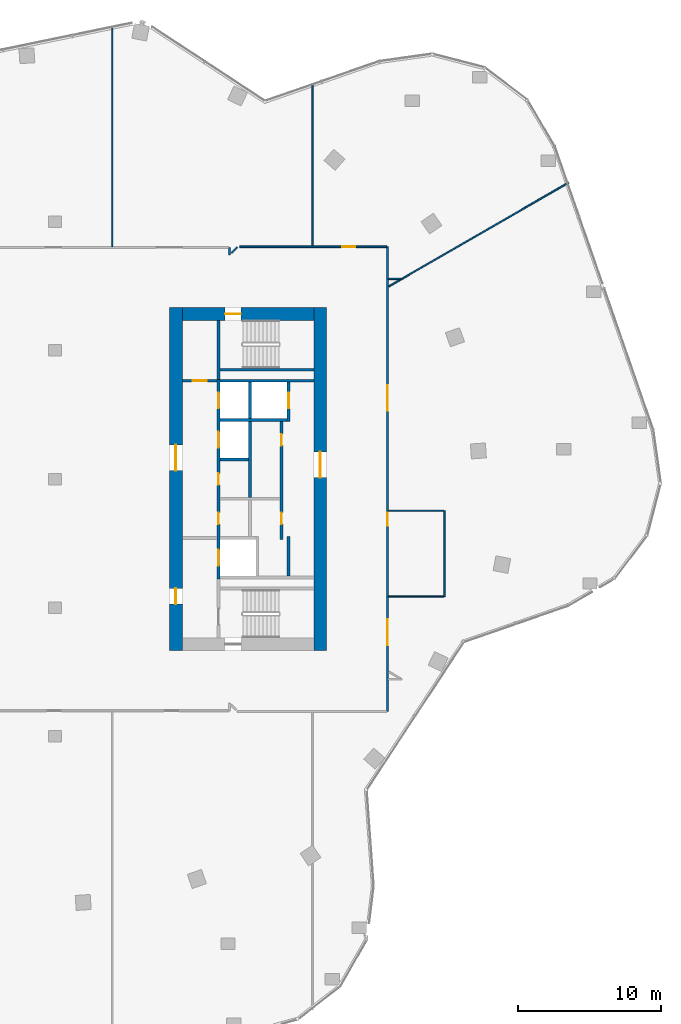
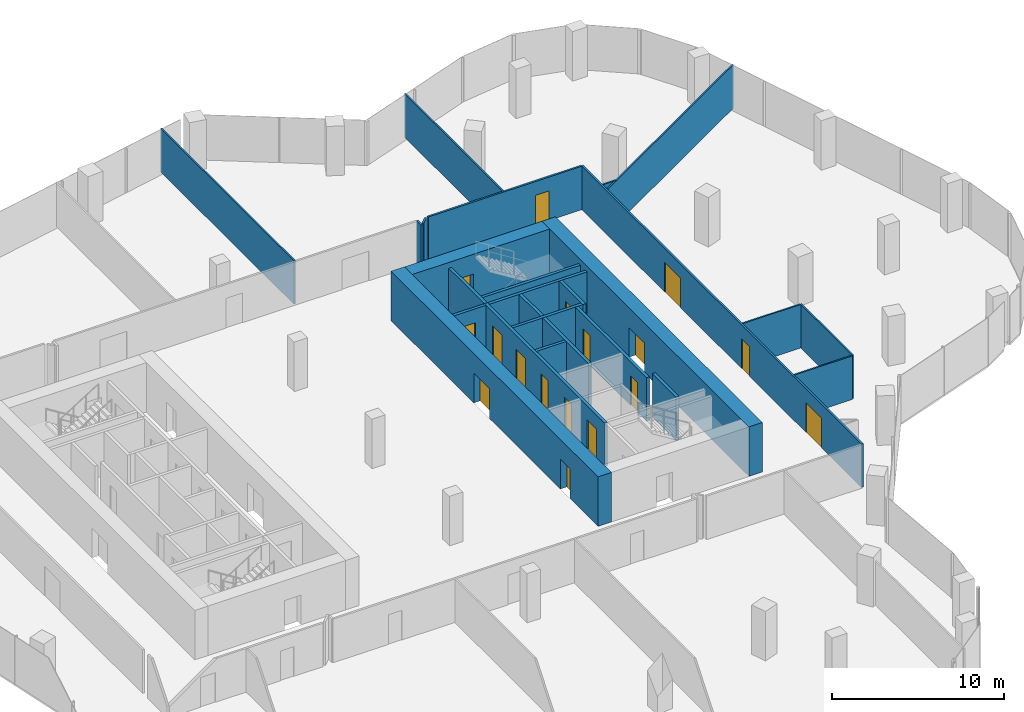
# One storey, part 20 of 24: 26 walls, 17 doors, 17 openings.
"""IFC4 building model written with IfcOpenShell, lengths in metres."""

from ifc_helpers import new_model, si_unit, direction, frame, frame_2d, origin, place, context, subcontext, project, spatial, rectangle, extrude, material, layer, layer_set, type_object, element, fill, save


model = new_model("IFC4")

# Units and contexts
model_context = context("Model", 3, precision=1e-05, world=origin(), true_north=direction((0.0, 1.0)))
body_context = subcontext(model_context, "Body", "Model", "MODEL_VIEW")
ifc_project = project(units=[si_unit("LENGTHUNIT", "METRE"), si_unit("AREAUNIT", "SQUARE_METRE"), si_unit("VOLUMEUNIT", "CUBIC_METRE"), si_unit("PLANEANGLEUNIT", "RADIAN"), si_unit("MASSUNIT", "GRAM", prefix="KILO")], contexts=[model_context])

# Site, building, storey
site_placement = place(None, origin())
site = spatial("IfcSite", under=ifc_project, at=site_placement, CompositionType="ELEMENT")
building_placement = place(site_placement, origin())
building = spatial("IfcBuilding", under=site, at=building_placement, Name="Orlundy Tower", CompositionType="ELEMENT")
storey_placement = place(building_placement, frame((0.0, 0.0, 242.5)))
storey = spatial("IfcBuildingStorey", under=building, at=storey_placement, Name="L64", CompositionType="ELEMENT", Elevation=242.5)

# Wall, opening, door
ifc_material_1 = material(Name="Concrete C60/75", Category="concrete")
ifc_layer_1 = layer(ifc_material_1, 0.89990234375)
ifc_layer_set_1 = layer_set([ifc_layer_1], Name="CORE WALL 900 C60/75")
wall_type_1 = type_object("IfcWallType", Name="CORE WALL 900 C60/75", PredefinedType="SHEAR", material=ifc_layer_set_1)
wall_1_placement = place(storey_placement, frame((8.89990234375, 11.550048828125, 0.0), z_axis=(0.0, 0.0, 1.0), x_axis=(1.0, 0.0, 0.0)))
wall_1 = element("IfcWall", 1, at=wall_1_placement, inside=storey, type_object=wall_type_1, Name="Core wall E-N L64", PredefinedType="SHEAR", context=body_context, shape_type="SweptSolid", body=[
    extrude(rectangle(XDim=9.2001953125, YDim=0.89990234375, at=frame_2d((4.60009765625, 0.0))), origin(), (0.0, 0.0, 1.0), 3.5),
])
opening_1_placement = place(wall_1_placement, frame((3.0, 0.0, 0.0)))
opening_1 = element("IfcOpeningElement", 2, at=opening_1_placement, cuts=wall_1, Name="Opening 48062", PredefinedType="OPENING", context=body_context, shape_type="SweptSolid", body=[
    extrude(rectangle(XDim=1.10009765625, YDim=2.10009765625, at=frame_2d((0.550048828125, 1.050048828125))), frame((0.0, 0.4599609375, 0.0), z_axis=(0.0, -1.0, 0.0), x_axis=(1.0, 0.0, 0.0)), (0.0, 0.0, 1.0), 0.919921875),
])
ifc_material_2 = material(Name="Steel door set", Category="steel")
door_type_1 = type_object("IfcDoorType", Name="Stair Door 1100x2100", OperationType="SINGLE_SWING_LEFT", PredefinedType="DOOR", material=ifc_material_2)
door_1_placement = place(opening_1_placement, origin())
door_1 = element("IfcDoor", 3, at=door_1_placement, inside=storey, type_object=door_type_1, Name="Stair door 48062", OperationType="SINGLE_SWING_LEFT", OverallHeight=2.10009765625, OverallWidth=1.10009765625, PredefinedType="DOOR", context=body_context, shape_type="SweptSolid", body=[
    extrude(rectangle(XDim=1.10009765625, YDim=2.10009765625, at=frame_2d((0.550048828125, 1.050048828125))), frame((0.0, 0.02490234375, 0.0), z_axis=(0.0, -1.0, 0.0), x_axis=(1.0, 0.0, 0.0)), (0.0, 0.0, 1.0), 0.050048828125),
])
fill(opening_1, door_1)

# Wall, openings, doors
wall_2_placement = place(storey_placement, frame((8.449951171875, -12.0, 0.0), z_axis=(0.0, 0.0, 1.0), x_axis=(0.0, 1.0, 0.0)))
wall_2 = element("IfcWall", 4, at=wall_2_placement, inside=storey, type_object=wall_type_1, Name="Core wall E-W L64", PredefinedType="SHEAR", context=body_context, shape_type="SweptSolid", body=[
    extrude(rectangle(XDim=24.0, YDim=0.89990234375, at=frame_2d((12.0, 0.0))), origin(), (0.0, 0.0, 1.0), 3.5),
])
opening_2_placement = place(wall_2_placement, frame((12.60009765625, 0.0, 0.0)))
opening_2 = element("IfcOpeningElement", 5, at=opening_2_placement, cuts=wall_2, Name="Opening 48058", PredefinedType="OPENING", context=body_context, shape_type="SweptSolid", body=[
    extrude(rectangle(XDim=1.800048828125, YDim=2.10009765625, at=frame_2d((0.89990234375, 1.050048828125))), frame((0.0, 0.4599609375, 0.0), z_axis=(0.0, -1.0, 0.0), x_axis=(1.0, 0.0, 0.0)), (0.0, 0.0, 1.0), 0.919921875),
])
opening_3_placement = place(wall_2_placement, frame((3.25, 0.0, 0.0)))
opening_3 = element("IfcOpeningElement", 6, at=opening_3_placement, cuts=wall_2, Name="Opening 48060", PredefinedType="OPENING", context=body_context, shape_type="SweptSolid", body=[
    extrude(rectangle(XDim=1.10009765625, YDim=2.10009765625, at=frame_2d((0.550048828125, 1.050048828125))), frame((0.0, 0.4599609375, 0.0), z_axis=(0.0, -1.0, 0.0), x_axis=(1.0, 0.0, 0.0)), (0.0, 0.0, 1.0), 0.919921875),
])
ifc_material_3 = material(Name="Steel door set", Category="steel")
door_type_2 = type_object("IfcDoorType", Name="Fire-fighting Lobby Door 1100x2100", OperationType="SINGLE_SWING_LEFT", PredefinedType="DOOR", material=ifc_material_3)
door_2_placement = place(opening_3_placement, origin())
door_2 = element("IfcDoor", 7, at=door_2_placement, inside=storey, type_object=door_type_2, Name="Fire-fighting lobby door 48060", OperationType="SINGLE_SWING_LEFT", OverallHeight=2.10009765625, OverallWidth=1.10009765625, PredefinedType="DOOR", context=body_context, shape_type="SweptSolid", body=[
    extrude(rectangle(XDim=1.10009765625, YDim=2.10009765625, at=frame_2d((0.550048828125, 1.050048828125))), frame((0.0, 0.02490234375, 0.0), z_axis=(0.0, -1.0, 0.0), x_axis=(1.0, 0.0, 0.0)), (0.0, 0.0, 1.0), 0.050048828125),
])
fill(opening_3, door_2)
ifc_material_4 = material(Name="Timber door set", Category="wood")
door_type_3 = type_object("IfcDoorType", Name="Lobby Door 1800x2100", OperationType="DOUBLE_DOOR_DOUBLE_SWING", PredefinedType="DOOR", material=ifc_material_4)
door_3_placement = place(opening_2_placement, origin())
door_3 = element("IfcDoor", 8, at=door_3_placement, inside=storey, type_object=door_type_3, Name="Lift lobby door 48058", OperationType="SINGLE_SWING_RIGHT", OverallHeight=2.10009765625, OverallWidth=1.800048828125, PredefinedType="DOOR", context=body_context, shape_type="SweptSolid", body=[
    extrude(rectangle(XDim=1.800048828125, YDim=2.10009765625, at=frame_2d((0.89990234375, 1.050048828125))), frame((0.0, 0.02490234375, 0.0), z_axis=(0.0, -1.0, 0.0), x_axis=(1.0, 0.0, 0.0)), (0.0, 0.0, 1.0), 0.050048828125),
])
fill(opening_2, door_3)

# Wall, opening, door
wall_3_placement = place(storey_placement, frame((18.550048828125, -12.0, 0.0), z_axis=(0.0, 0.0, 1.0), x_axis=(0.0, 1.0, 0.0)))
wall_3 = element("IfcWall", 9, at=wall_3_placement, inside=storey, type_object=wall_type_1, Name="Core wall E-E L64", PredefinedType="SHEAR", context=body_context, shape_type="SweptSolid", body=[
    extrude(rectangle(XDim=24.0, YDim=0.89990234375, at=frame_2d((12.0, 0.0))), origin(), (0.0, 0.0, 1.0), 3.5),
])
opening_4_placement = place(wall_3_placement, frame((12.10009765625, 0.0, 0.0)))
opening_4 = element("IfcOpeningElement", 10, at=opening_4_placement, cuts=wall_3, Name="Opening 48059", PredefinedType="OPENING", context=body_context, shape_type="SweptSolid", body=[
    extrude(rectangle(XDim=1.800048828125, YDim=2.10009765625, at=frame_2d((0.89990234375, 1.050048828125))), frame((0.0, 0.4599609375, 0.0), z_axis=(0.0, -1.0, 0.0), x_axis=(1.0, 0.0, 0.0)), (0.0, 0.0, 1.0), 0.919921875),
])
door_4_placement = place(opening_4_placement, origin())
door_4 = element("IfcDoor", 11, at=door_4_placement, inside=storey, type_object=door_type_3, Name="Lift lobby door 48059", OperationType="SINGLE_SWING_RIGHT", OverallHeight=2.10009765625, OverallWidth=1.800048828125, PredefinedType="DOOR", context=body_context, shape_type="SweptSolid", body=[
    extrude(rectangle(XDim=1.800048828125, YDim=2.10009765625, at=frame_2d((0.89990234375, 1.050048828125))), frame((0.0, 0.02490234375, 0.0), z_axis=(0.0, -1.0, 0.0), x_axis=(1.0, 0.0, 0.0)), (0.0, 0.0, 1.0), 0.050048828125),
])
fill(opening_4, door_4)

# Walls
ifc_material_5 = material(Name="Gypsum board partition")
ifc_layer_2 = layer(ifc_material_5, 0.10009765625)
ifc_layer_set_2 = layer_set([ifc_layer_2], Name="Floor partition 100")
wall_type_2 = type_object("IfcWallType", Name="Floor partition 100", PredefinedType="PARTITIONING", material=ifc_layer_set_2)
for number, where, z_axis, x_axis, name in (
    (12, (23.31396484375, -8.212890625, 0.0), (0.0, 0.0, 1.0), (1.0, 0.0, 0.0), "wall-int-L64-010"),
    (13, (23.31396484375, -2.2119140625, 0.0), (0.0, 0.0, 1.0), (1.0, 0.0, 0.0), "wall-int-L64-011"),
):
    element("IfcWall", number, at=place(storey_placement, frame(where, z_axis=z_axis, x_axis=x_axis)), inside=storey, type_object=wall_type_2, Name=name, PredefinedType="PARTITIONING", context=body_context, shape_type="SweptSolid", body=[
        extrude(rectangle(XDim=3.885009765625, YDim=0.10009765625, at=frame_2d((1.9423828125, 0.0))), origin(), (0.0, 0.0, 1.0), 3.080078125),
    ])
wall_4_placement = place(storey_placement, frame((23.31396484375, 14.0, 0.0), z_axis=(0.0, 0.0, 1.0), x_axis=(1.0, 0.0, 0.0)))
element("IfcWall", 14, at=wall_4_placement, inside=storey, type_object=wall_type_2, Name="wall-int-L64-015", PredefinedType="PARTITIONING", context=body_context, shape_type="SweptSolid", body=[
    extrude(rectangle(XDim=0.885009765625, YDim=0.10009765625, at=frame_2d((0.4423828125, 0.0))), origin(), (0.0, 0.0, 1.0), 3.080078125),
])
wall_5_placement = place(storey_placement, frame((23.337890625, 13.47412109375, 0.0), z_axis=(0.0, 0.0, 1.0), x_axis=(0.866095287821, 0.499878937759, 0.0)))
element("IfcWall", 15, at=wall_5_placement, inside=storey, type_object=wall_type_2, Name="wall-int-L64-019", PredefinedType="PARTITIONING", context=body_context, shape_type="SweptSolid", body=[
    extrude(rectangle(XDim=14.541015625, YDim=0.10009765625, at=frame_2d((7.2705078125, 0.0))), origin(), (0.0, 0.0, 1.0), 3.080078125),
])
wall_6_placement = place(storey_placement, frame((27.2490234375, -8.212890625, 0.0), z_axis=(0.0, 0.0, 1.0), x_axis=(0.0, 1.0, 0.0)))
element("IfcWall", 16, at=wall_6_placement, inside=storey, type_object=wall_type_2, Name="wall-int-L64-023", PredefinedType="PARTITIONING", context=body_context, shape_type="SweptSolid", body=[
    extrude(rectangle(XDim=6.0009765625, YDim=0.10009765625, at=frame_2d((3.00048828125, 0.0))), origin(), (0.0, 0.0, 1.0), 3.080078125),
])
wall_7_placement = place(storey_placement, frame((18.0, 16.31201171875, 0.0), z_axis=(0.0, 0.0, 1.0), x_axis=(0.0, 1.0, 0.0)))
element("IfcWall", 17, at=wall_7_placement, inside=storey, type_object=wall_type_2, Name="wall-int-L64-026", PredefinedType="PARTITIONING", context=body_context, shape_type="SweptSolid", body=[
    extrude(rectangle(XDim=11.383056640625, YDim=0.10009765625, at=frame_2d((5.69140625, 0.0))), origin(), (0.0, 0.0, 1.0), 3.080078125),
])
wall_8_placement = place(storey_placement, frame((4.0, 16.261962890625, 0.0), z_axis=(0.0, 0.0, 1.0), x_axis=(0.0, 1.0, 0.0)))
element("IfcWall", 18, at=wall_8_placement, inside=storey, type_object=wall_type_2, Name="wall-int-L64-030", PredefinedType="PARTITIONING", context=body_context, shape_type="SweptSolid", body=[
    extrude(rectangle(XDim=15.4521484375, YDim=0.10009765625, at=frame_2d((7.72607421875, 0.0))), origin(), (0.0, 0.0, 1.0), 3.080078125),
])

# Wall, opening, door
ifc_material_6 = material(Name="Gypsum board partition, double layer")
ifc_layer_3 = layer(ifc_material_6, 0.125)
ifc_layer_set_3 = layer_set([ifc_layer_3], Name="Floor partition 125")
wall_type_3 = type_object("IfcWallType", Name="Floor partition 125", PredefinedType="PARTITIONING", material=ifc_layer_set_3)
wall_9_placement = place(storey_placement, frame((12.909912109375, 16.25, 0.0), z_axis=(0.0, 0.0, 1.0), x_axis=(1.0, 0.0, 0.0)))
wall_9 = element("IfcWall", 19, at=wall_9_placement, inside=storey, type_object=wall_type_3, Name="wall-int-L64-018", PredefinedType="PARTITIONING", context=body_context, shape_type="SweptSolid", body=[
    extrude(rectangle(XDim=10.279052734375, YDim=0.125, at=frame_2d((5.1396484375, 0.0))), origin(), (0.0, 0.0, 1.0), 3.080078125),
])
opening_5_placement = place(wall_9_placement, frame((7.190185546875, 0.0, 0.0)))
opening_5 = element("IfcOpeningElement", 20, at=opening_5_placement, cuts=wall_9, Name="Opening 48107", PredefinedType="OPENING", context=body_context, shape_type="SweptSolid", body=[
    extrude(rectangle(XDim=0.89990234375, YDim=2.10009765625, at=frame_2d((0.449951171875, 1.050048828125))), frame((0.0, 0.072509765625, 0.0), z_axis=(0.0, -1.0, 0.0), x_axis=(1.0, 0.0, 0.0)), (0.0, 0.0, 1.0), 0.14501953125),
])
ifc_material_7 = material(Name="Timber door leaf", Category="wood")
door_type_4 = type_object("IfcDoorType", Name="Floor door single 900 FD30S", OperationType="NOTDEFINED", PredefinedType="DOOR", material=ifc_material_7)
door_5_placement = place(opening_5_placement, origin())
door_5 = element("IfcDoor", 21, at=door_5_placement, inside=storey, type_object=door_type_4, Name="Door 48107", OperationType="SINGLE_SWING_RIGHT", OverallHeight=2.10009765625, OverallWidth=0.89990234375, PredefinedType="DOOR", context=body_context, shape_type="SweptSolid", body=[
    extrude(rectangle(XDim=0.89990234375, YDim=2.10009765625, at=frame_2d((0.449951171875, 1.050048828125))), frame((0.0, 0.02490234375, 0.0), z_axis=(0.0, -1.0, 0.0), x_axis=(1.0, 0.0, 0.0)), (0.0, 0.0, 1.0), 0.050048828125),
])
fill(opening_5, door_5)

# Wall
wall_10_placement = place(storey_placement, frame((12.3291015625, 15.806884765625, 0.0), z_axis=(0.0, 0.0, 1.0), x_axis=(0.706903150737, 0.707310353012, 0.0)))
element("IfcWall", 22, at=wall_10_placement, inside=storey, type_object=wall_type_3, Name="wall-int-L64-021", PredefinedType="PARTITIONING", context=body_context, shape_type="SweptSolid", body=[
    extrude(rectangle(XDim=0.599609375, YDim=0.125, at=frame_2d((0.2998046875, 0.0))), origin(), (0.0, 0.0, 1.0), 3.080078125),
])

# Wall, openings, doors
wall_11_placement = place(storey_placement, frame((23.2509765625, 16.25, 0.0), z_axis=(0.0, 0.0, 1.0), x_axis=(0.0, -1.0, 0.0)))
wall_11 = element("IfcWall", 23, at=wall_11_placement, inside=storey, type_object=wall_type_3, Name="wall-int-L64-024", PredefinedType="PARTITIONING", context=body_context, shape_type="SweptSolid", body=[
    extrude(rectangle(XDim=32.5, YDim=0.125, at=frame_2d((16.25, 0.0))), origin(), (0.0, 0.0, 1.0), 3.080078125),
])
opening_6_placement = place(wall_11_placement, frame((26.06298828125, 0.0, 0.0)))
opening_6 = element("IfcOpeningElement", 24, at=opening_6_placement, cuts=wall_11, Name="Opening 48105", PredefinedType="OPENING", context=body_context, shape_type="SweptSolid", body=[
    extrude(rectangle(XDim=1.800048828125, YDim=2.10009765625, at=frame_2d((0.89990234375, 1.050048828125))), frame((0.0, 0.072509765625, 0.0), z_axis=(0.0, -1.0, 0.0), x_axis=(1.0, 0.0, 0.0)), (0.0, 0.0, 1.0), 0.14501953125),
])
opening_7_placement = place(wall_11_placement, frame((9.676025390625, 0.0, 0.0)))
opening_7 = element("IfcOpeningElement", 25, at=opening_7_placement, cuts=wall_11, Name="Opening 48106", PredefinedType="OPENING", context=body_context, shape_type="SweptSolid", body=[
    extrude(rectangle(XDim=1.800048828125, YDim=2.10009765625, at=frame_2d((0.89990234375, 1.050048828125))), frame((0.0, 0.072509765625, 0.0), z_axis=(0.0, -1.0, 0.0), x_axis=(1.0, 0.0, 0.0)), (0.0, 0.0, 1.0), 0.14501953125),
])
opening_8_placement = place(wall_11_placement, frame((18.60009765625, 0.0, 0.0)))
opening_8 = element("IfcOpeningElement", 26, at=opening_8_placement, cuts=wall_11, Name="Opening 48113", PredefinedType="OPENING", context=body_context, shape_type="SweptSolid", body=[
    extrude(rectangle(XDim=0.89990234375, YDim=2.10009765625, at=frame_2d((0.449951171875, 1.050048828125))), frame((0.0, 0.072509765625, 0.0), z_axis=(0.0, -1.0, 0.0), x_axis=(1.0, 0.0, 0.0)), (0.0, 0.0, 1.0), 0.14501953125),
])
ifc_material_8 = material(Name="Timber door leaf", Category="wood")
door_type_5 = type_object("IfcDoorType", Name="Floor door double 1800 FD30S", OperationType="NOTDEFINED", PredefinedType="DOOR", material=ifc_material_8)
door_6_placement = place(opening_6_placement, origin())
door_6 = element("IfcDoor", 27, at=door_6_placement, inside=storey, type_object=door_type_5, Name="Door 48105", OperationType="DOUBLE_DOOR_SINGLE_SWING", OverallHeight=2.10009765625, OverallWidth=1.800048828125, PredefinedType="DOOR", context=body_context, shape_type="SweptSolid", body=[
    extrude(rectangle(XDim=1.800048828125, YDim=2.10009765625, at=frame_2d((0.89990234375, 1.050048828125))), frame((0.0, 0.02490234375, 0.0), z_axis=(0.0, -1.0, 0.0), x_axis=(1.0, 0.0, 0.0)), (0.0, 0.0, 1.0), 0.050048828125),
])
fill(opening_6, door_6)
door_7_placement = place(opening_7_placement, origin())
door_7 = element("IfcDoor", 28, at=door_7_placement, inside=storey, type_object=door_type_5, Name="Door 48106", OperationType="DOUBLE_DOOR_SINGLE_SWING", OverallHeight=2.10009765625, OverallWidth=1.800048828125, PredefinedType="DOOR", context=body_context, shape_type="SweptSolid", body=[
    extrude(rectangle(XDim=1.800048828125, YDim=2.10009765625, at=frame_2d((0.89990234375, 1.050048828125))), frame((0.0, 0.02490234375, 0.0), z_axis=(0.0, -1.0, 0.0), x_axis=(1.0, 0.0, 0.0)), (0.0, 0.0, 1.0), 0.050048828125),
])
fill(opening_7, door_7)
door_8_placement = place(opening_8_placement, origin())
door_8 = element("IfcDoor", 29, at=door_8_placement, inside=storey, type_object=door_type_4, Name="Door 48113", OperationType="SINGLE_SWING_RIGHT", OverallHeight=2.10009765625, OverallWidth=0.89990234375, PredefinedType="DOOR", context=body_context, shape_type="SweptSolid", body=[
    extrude(rectangle(XDim=0.89990234375, YDim=2.10009765625, at=frame_2d((0.449951171875, 1.050048828125))), frame((0.0, 0.02490234375, 0.0), z_axis=(0.0, -1.0, 0.0), x_axis=(1.0, 0.0, 0.0)), (0.0, 0.0, 1.0), 0.050048828125),
])
fill(opening_8, door_8)

# Walls
wall_12_placement = place(storey_placement, frame((12.200927734375, 15.69189453125, 0.0), z_axis=(0.0, 0.0, 1.0), x_axis=(0.0, 1.0, 0.0)))
element("IfcWall", 30, at=wall_12_placement, inside=storey, type_object=wall_type_3, Name="wall-int-L64-028", PredefinedType="PARTITIONING", context=body_context, shape_type="SweptSolid", body=[
    extrude(rectangle(XDim=0.508056640625, YDim=0.125, at=frame_2d((0.25390625, 0.0))), origin(), (0.0, 0.0, 1.0), 3.080078125),
])
ifc_material_9 = material(Name="Concrete C40/50", Category="concrete")
ifc_layer_4 = layer(ifc_material_9, 0.199951171875)
ifc_layer_set_4 = layer_set([ifc_layer_4], Name="Load-bearing Shaft Wall 200")
wall_type_4 = type_object("IfcWallType", Name="Load-bearing Shaft Wall 200", PredefinedType="SOLIDWALL", material=ifc_layer_set_4)
wall_13_placement = place(storey_placement, frame((11.43994140625, 11.10009765625, 0.0), z_axis=(0.0, 0.0, 1.0), x_axis=(0.0, -1.0, 0.0)))
element("IfcWall", 31, at=wall_13_placement, inside=storey, type_object=wall_type_4, Name="Shaft wall E48-stair-end-s", PredefinedType="SOLIDWALL", context=body_context, shape_type="SweptSolid", body=[
    extrude(rectangle(XDim=4.125, YDim=0.199951171875, at=frame_2d((2.0625, 0.0))), origin(), (0.0, 0.0, 1.0), 3.090087890625),
])
wall_14_placement = place(storey_placement, frame((11.5400390625, 7.64990234375, 0.0), z_axis=(0.0, 0.0, 1.0), x_axis=(1.0, 0.0, 0.0)))
element("IfcWall", 32, at=wall_14_placement, inside=storey, type_object=wall_type_4, Name="Shaft wall E48-stair-side-s", PredefinedType="SOLIDWALL", context=body_context, shape_type="SweptSolid", body=[
    extrude(rectangle(XDim=6.56005859375, YDim=0.199951171875, at=frame_2d((3.280029296875, 0.0))), origin(), (0.0, 0.0, 1.0), 3.090087890625),
])

# Wall, opening, door
ifc_material_10 = material(Name="Gypsum board partition on steel studs", Category="steel")
ifc_layer_5 = layer(ifc_material_10, 0.199951171875)
ifc_layer_set_5 = layer_set([ifc_layer_5], Name="Partition 200")
wall_type_5 = type_object("IfcWallType", Name="Partition 200", PredefinedType="PARTITIONING", material=ifc_layer_set_5)
wall_15_placement = place(storey_placement, frame((8.89990234375, 6.875, 0.0), z_axis=(0.0, 0.0, 1.0), x_axis=(1.0, 0.0, 0.0)))
wall_15 = element("IfcWall", 33, at=wall_15_placement, inside=storey, type_object=wall_type_5, Name="Partition wall E48-end-s", PredefinedType="PARTITIONING", context=body_context, shape_type="SweptSolid", body=[
    extrude(rectangle(XDim=2.440185546875, YDim=0.199951171875, at=frame_2d((1.22021484375, 0.0))), origin(), (0.0, 0.0, 1.0), 3.090087890625),
])
opening_9_placement = place(wall_15_placement, frame((0.719970703125, 0.0, 0.0)))
opening_9 = element("IfcOpeningElement", 34, at=opening_9_placement, cuts=wall_15, Name="Opening 48064", PredefinedType="OPENING", context=body_context, shape_type="SweptSolid", body=[
    extrude(rectangle(XDim=1.0, YDim=2.10009765625, at=frame_2d((0.5, 1.050048828125))), frame((0.0, 0.110107421875, 0.0), z_axis=(0.0, -1.0, 0.0), x_axis=(1.0, 0.0, 0.0)), (0.0, 0.0, 1.0), 0.22021484375),
])
ifc_material_11 = material(Name="Timber door set", Category="wood")
door_type_6 = type_object("IfcDoorType", Name="Accessible Door 1000x2100", OperationType="SINGLE_SWING_LEFT", PredefinedType="DOOR", material=ifc_material_11)
door_9_placement = place(opening_9_placement, origin())
door_9 = element("IfcDoor", 35, at=door_9_placement, inside=storey, type_object=door_type_6, Name="Accessible WC door 48064", OperationType="SINGLE_SWING_RIGHT", OverallHeight=2.10009765625, OverallWidth=1.0, PredefinedType="DOOR", context=body_context, shape_type="SweptSolid", body=[
    extrude(rectangle(XDim=1.0, YDim=2.10009765625, at=frame_2d((0.5, 1.050048828125))), frame((0.0, 0.02490234375, 0.0), z_axis=(0.0, -1.0, 0.0), x_axis=(1.0, 0.0, 0.0)), (0.0, 0.0, 1.0), 0.050048828125),
])
fill(opening_9, door_9)

# Walls
ifc_material_12 = material(Name="Fire-rated blockwork shaft wall", Category="masonry")
ifc_layer_6 = layer(ifc_material_12, 0.199951171875)
ifc_layer_set_6 = layer_set([ifc_layer_6], Name="Shaft Wall 200")
wall_type_6 = type_object("IfcWallType", Name="Shaft Wall 200", PredefinedType="SOLIDWALL", material=ifc_layer_set_6)
wall_16_placement = place(storey_placement, frame((11.5400390625, 6.875, 0.0), z_axis=(0.0, 0.0, 1.0), x_axis=(1.0, 0.0, 0.0)))
element("IfcWall", 36, at=wall_16_placement, inside=storey, type_object=wall_type_6, Name="Shaft wall E48-zone-s", PredefinedType="SOLIDWALL", context=body_context, shape_type="SweptSolid", body=[
    extrude(rectangle(XDim=6.56005859375, YDim=0.199951171875, at=frame_2d((3.280029296875, 0.0))), origin(), (0.0, 0.0, 1.0), 3.090087890625),
])
wall_17_placement = place(storey_placement, frame((11.5400390625, 4.125, 0.0), z_axis=(0.0, 0.0, 1.0), x_axis=(1.0, 0.0, 0.0)))
element("IfcWall", 37, at=wall_17_placement, inside=storey, type_object=wall_type_6, Name="Shaft wall E48-cross-4.125", PredefinedType="SOLIDWALL", context=body_context, shape_type="SweptSolid", body=[
    extrude(rectangle(XDim=4.699951171875, YDim=0.199951171875, at=frame_2d((2.35009765625, 0.0))), origin(), (0.0, 0.0, 1.0), 3.090087890625),
])
wall_18_placement = place(storey_placement, frame((11.5400390625, 1.375, 0.0), z_axis=(0.0, 0.0, 1.0), x_axis=(1.0, 0.0, 0.0)))
element("IfcWall", 38, at=wall_18_placement, inside=storey, type_object=wall_type_6, Name="Shaft wall E48-cross-1.375", PredefinedType="SOLIDWALL", context=body_context, shape_type="SweptSolid", body=[
    extrude(rectangle(XDim=2.0, YDim=0.199951171875, at=frame_2d((1.0, 0.0))), origin(), (0.0, 0.0, 1.0), 3.090087890625),
])

# Wall, openings, doors
wall_19_placement = place(storey_placement, frame((11.43994140625, 6.97509765625, 0.0), z_axis=(0.0, 0.0, 1.0), x_axis=(0.0, -1.0, 0.0)))
wall_19 = element("IfcWall", 39, at=wall_19_placement, inside=storey, type_object=wall_type_6, Name="Shaft wall E48-front-h", PredefinedType="SOLIDWALL", context=body_context, shape_type="SweptSolid", body=[
    extrude(rectangle(XDim=13.9501953125, YDim=0.199951171875, at=frame_2d((6.97509765625, 0.0))), origin(), (0.0, 0.0, 1.0), 3.090087890625),
])
opening_10_placement = place(wall_19_placement, frame((0.925048828125, 0.0, 0.0)))
opening_10 = element("IfcOpeningElement", 40, at=opening_10_placement, cuts=wall_19, Name="Opening 48050", PredefinedType="OPENING", context=body_context, shape_type="SweptSolid", body=[
    extrude(rectangle(XDim=1.10009765625, YDim=2.10009765625, at=frame_2d((0.550048828125, 1.050048828125))), frame((0.0, 0.110107421875, 0.0), z_axis=(0.0, -1.0, 0.0), x_axis=(1.0, 0.0, 0.0)), (0.0, 0.0, 1.0), 0.22021484375),
])
opening_11_placement = place(wall_19_placement, frame((3.675048828125, 0.0, 0.0)))
opening_11 = element("IfcOpeningElement", 41, at=opening_11_placement, cuts=wall_19, Name="Opening 48052", PredefinedType="OPENING", context=body_context, shape_type="SweptSolid", body=[
    extrude(rectangle(XDim=1.10009765625, YDim=2.10009765625, at=frame_2d((0.550048828125, 1.050048828125))), frame((0.0, 0.110107421875, 0.0), z_axis=(0.0, -1.0, 0.0), x_axis=(1.0, 0.0, 0.0)), (0.0, 0.0, 1.0), 0.22021484375),
])
opening_12_placement = place(wall_19_placement, frame((11.925048828125, 0.0, 0.0)))
opening_12 = element("IfcOpeningElement", 42, at=opening_12_placement, cuts=wall_19, Name="Opening 48053", PredefinedType="OPENING", context=body_context, shape_type="SweptSolid", body=[
    extrude(rectangle(XDim=1.10009765625, YDim=2.10009765625, at=frame_2d((0.550048828125, 1.050048828125))), frame((0.0, 0.110107421875, 0.0), z_axis=(0.0, -1.0, 0.0), x_axis=(1.0, 0.0, 0.0)), (0.0, 0.0, 1.0), 0.22021484375),
])
opening_13_placement = place(wall_19_placement, frame((6.574951171875, 0.0, 0.0)))
opening_13 = element("IfcOpeningElement", 43, at=opening_13_placement, cuts=wall_19, Name="Opening 48055", PredefinedType="OPENING", context=body_context, shape_type="SweptSolid", body=[
    extrude(rectangle(XDim=0.800048828125, YDim=2.10009765625, at=frame_2d((0.39990234375, 1.050048828125))), frame((0.0, 0.110107421875, 0.0), z_axis=(0.0, -1.0, 0.0), x_axis=(1.0, 0.0, 0.0)), (0.0, 0.0, 1.0), 0.22021484375),
])
opening_14_placement = place(wall_19_placement, frame((9.324951171875, 0.0, 0.0)))
opening_14 = element("IfcOpeningElement", 44, at=opening_14_placement, cuts=wall_19, Name="Opening 48056", PredefinedType="OPENING", context=body_context, shape_type="SweptSolid", body=[
    extrude(rectangle(XDim=0.800048828125, YDim=2.10009765625, at=frame_2d((0.39990234375, 1.050048828125))), frame((0.0, 0.110107421875, 0.0), z_axis=(0.0, -1.0, 0.0), x_axis=(1.0, 0.0, 0.0)), (0.0, 0.0, 1.0), 0.22021484375),
])
ifc_material_13 = material(Name="Steel door set", Category="steel")
door_type_7 = type_object("IfcDoorType", Name="Landing Door 1100x2100", OperationType="DOUBLE_DOOR_SLIDING", PredefinedType="DOOR", material=ifc_material_13)
door_10_placement = place(opening_10_placement, origin())
door_10 = element("IfcDoor", 45, at=door_10_placement, inside=storey, type_object=door_type_7, Name="Lift landing door LP-24 48050", OperationType="DOUBLE_DOOR_SLIDING", OverallHeight=2.10009765625, OverallWidth=1.10009765625, PredefinedType="DOOR", context=body_context, shape_type="SweptSolid", body=[
    extrude(rectangle(XDim=1.10009765625, YDim=2.10009765625, at=frame_2d((0.550048828125, 1.050048828125))), frame((0.0, 0.02490234375, 0.0), z_axis=(0.0, -1.0, 0.0), x_axis=(1.0, 0.0, 0.0)), (0.0, 0.0, 1.0), 0.050048828125),
])
fill(opening_10, door_10)
door_11_placement = place(opening_11_placement, origin())
door_11 = element("IfcDoor", 46, at=door_11_placement, inside=storey, type_object=door_type_7, Name="Lift landing door LP-23 48052", OperationType="DOUBLE_DOOR_SLIDING", OverallHeight=2.10009765625, OverallWidth=1.10009765625, PredefinedType="DOOR", context=body_context, shape_type="SweptSolid", body=[
    extrude(rectangle(XDim=1.10009765625, YDim=2.10009765625, at=frame_2d((0.550048828125, 1.050048828125))), frame((0.0, 0.02490234375, 0.0), z_axis=(0.0, -1.0, 0.0), x_axis=(1.0, 0.0, 0.0)), (0.0, 0.0, 1.0), 0.050048828125),
])
fill(opening_11, door_11)
door_12_placement = place(opening_12_placement, origin())
door_12 = element("IfcDoor", 47, at=door_12_placement, inside=storey, type_object=door_type_7, Name="Lift landing door FL2 48053", OperationType="DOUBLE_DOOR_SLIDING", OverallHeight=2.10009765625, OverallWidth=1.10009765625, PredefinedType="DOOR", context=body_context, shape_type="SweptSolid", body=[
    extrude(rectangle(XDim=1.10009765625, YDim=2.10009765625, at=frame_2d((0.550048828125, 1.050048828125))), frame((0.0, 0.02490234375, 0.0), z_axis=(0.0, -1.0, 0.0), x_axis=(1.0, 0.0, 0.0)), (0.0, 0.0, 1.0), 0.050048828125),
])
fill(opening_12, door_12)
ifc_material_14 = material(Name="Timber door set", Category="wood")
door_type_8 = type_object("IfcDoorType", Name="Riser Door 800x2100", OperationType="SINGLE_SWING_LEFT", PredefinedType="DOOR", material=ifc_material_14)
door_13_placement = place(opening_13_placement, origin())
door_13 = element("IfcDoor", 48, at=door_13_placement, inside=storey, type_object=door_type_8, Name="Security Store door 48055", OperationType="SINGLE_SWING_LEFT", OverallHeight=2.10009765625, OverallWidth=0.800048828125, PredefinedType="DOOR", context=body_context, shape_type="SweptSolid", body=[
    extrude(rectangle(XDim=0.800048828125, YDim=2.10009765625, at=frame_2d((0.39990234375, 1.050048828125))), frame((0.0, 0.02490234375, 0.0), z_axis=(0.0, -1.0, 0.0), x_axis=(1.0, 0.0, 0.0)), (0.0, 0.0, 1.0), 0.050048828125),
])
fill(opening_13, door_13)
door_14_placement = place(opening_14_placement, origin())
door_14 = element("IfcDoor", 49, at=door_14_placement, inside=storey, type_object=door_type_8, Name="Furniture Store door 48056", OperationType="SINGLE_SWING_LEFT", OverallHeight=2.10009765625, OverallWidth=0.800048828125, PredefinedType="DOOR", context=body_context, shape_type="SweptSolid", body=[
    extrude(rectangle(XDim=0.800048828125, YDim=2.10009765625, at=frame_2d((0.39990234375, 1.050048828125))), frame((0.0, 0.02490234375, 0.0), z_axis=(0.0, -1.0, 0.0), x_axis=(1.0, 0.0, 0.0)), (0.0, 0.0, 1.0), 0.050048828125),
])
fill(opening_14, door_14)

# Walls
wall_20_placement = place(storey_placement, frame((13.639892578125, 6.77490234375, 0.0), z_axis=(0.0, 0.0, 1.0), x_axis=(0.0, -1.0, 0.0)))
element("IfcWall", 50, at=wall_20_placement, inside=storey, type_object=wall_type_6, Name="Shaft wall E48-mid-a", PredefinedType="SOLIDWALL", context=body_context, shape_type="SweptSolid", body=[
    extrude(rectangle(XDim=2.5498046875, YDim=0.199951171875, at=frame_2d((1.27490234375, 0.0))), origin(), (0.0, 0.0, 1.0), 3.090087890625),
])
wall_21_placement = place(storey_placement, frame((13.639892578125, 4.02490234375, 0.0), z_axis=(0.0, 0.0, 1.0), x_axis=(0.0, -1.0, 0.0)))
element("IfcWall", 51, at=wall_21_placement, inside=storey, type_object=wall_type_6, Name="Shaft wall E48-mid-a.1", PredefinedType="SOLIDWALL", context=body_context, shape_type="SweptSolid", body=[
    extrude(rectangle(XDim=5.2998046875, YDim=0.199951171875, at=frame_2d((2.64990234375, 0.0))), origin(), (0.0, 0.0, 1.0), 3.090087890625),
])

# Wall, opening, door
wall_22_placement = place(storey_placement, frame((16.340087890625, 6.77490234375, 0.0), z_axis=(0.0, 0.0, 1.0), x_axis=(0.0, -1.0, 0.0)))
wall_22 = element("IfcWall", 52, at=wall_22_placement, inside=storey, type_object=wall_type_6, Name="Shaft wall E48-front-o-a", PredefinedType="SOLIDWALL", context=body_context, shape_type="SweptSolid", body=[
    extrude(rectangle(XDim=2.75, YDim=0.199951171875, at=frame_2d((1.375, 0.0))), origin(), (0.0, 0.0, 1.0), 3.090087890625),
])
opening_15_placement = place(wall_22_placement, frame((0.72509765625, 0.0, 0.0)))
opening_15 = element("IfcOpeningElement", 53, at=opening_15_placement, cuts=wall_22, Name="Opening 48051", PredefinedType="OPENING", context=body_context, shape_type="SweptSolid", body=[
    extrude(rectangle(XDim=1.10009765625, YDim=2.10009765625, at=frame_2d((0.550048828125, 1.050048828125))), frame((0.0, 0.110107421875, 0.0), z_axis=(0.0, -1.0, 0.0), x_axis=(1.0, 0.0, 0.0)), (0.0, 0.0, 1.0), 0.22021484375),
])
door_15_placement = place(opening_15_placement, origin())
door_15 = element("IfcDoor", 54, at=door_15_placement, inside=storey, type_object=door_type_7, Name="Lift landing door LV-02 48051", OperationType="DOUBLE_DOOR_SLIDING", OverallHeight=2.10009765625, OverallWidth=1.10009765625, PredefinedType="DOOR", context=body_context, shape_type="SweptSolid", body=[
    extrude(rectangle(XDim=1.10009765625, YDim=2.10009765625, at=frame_2d((0.550048828125, 1.050048828125))), frame((0.0, 0.02490234375, 0.0), z_axis=(0.0, -1.0, 0.0), x_axis=(1.0, 0.0, 0.0)), (0.0, 0.0, 1.0), 0.050048828125),
])
fill(opening_15, door_15)

# Wall, openings, doors
wall_23_placement = place(storey_placement, frame((15.840087890625, 4.02490234375, 0.0), z_axis=(0.0, 0.0, 1.0), x_axis=(0.0, -1.0, 0.0)))
wall_23 = element("IfcWall", 55, at=wall_23_placement, inside=storey, type_object=wall_type_6, Name="Shaft wall E48-front-o-b", PredefinedType="SOLIDWALL", context=body_context, shape_type="SweptSolid", body=[
    extrude(rectangle(XDim=8.25, YDim=0.199951171875, at=frame_2d((4.125, 0.0))), origin(), (0.0, 0.0, 1.0), 3.090087890625),
])
opening_16_placement = place(wall_23_placement, frame((0.875, 0.0, 0.0)))
opening_16 = element("IfcOpeningElement", 56, at=opening_16_placement, cuts=wall_23, Name="Opening 48054", PredefinedType="OPENING", context=body_context, shape_type="SweptSolid", body=[
    extrude(rectangle(XDim=0.800048828125, YDim=2.10009765625, at=frame_2d((0.39990234375, 1.050048828125))), frame((0.0, 0.110107421875, 0.0), z_axis=(0.0, -1.0, 0.0), x_axis=(1.0, 0.0, 0.0)), (0.0, 0.0, 1.0), 0.22021484375),
])
opening_17_placement = place(wall_23_placement, frame((6.375, 0.0, 0.0)))
opening_17 = element("IfcOpeningElement", 57, at=opening_17_placement, cuts=wall_23, Name="Opening 48057", PredefinedType="OPENING", context=body_context, shape_type="SweptSolid", body=[
    extrude(rectangle(XDim=0.800048828125, YDim=2.10009765625, at=frame_2d((0.39990234375, 1.050048828125))), frame((0.0, 0.110107421875, 0.0), z_axis=(0.0, -1.0, 0.0), x_axis=(1.0, 0.0, 0.0)), (0.0, 0.0, 1.0), 0.22021484375),
])
door_16_placement = place(opening_16_placement, origin())
door_16 = element("IfcDoor", 58, at=door_16_placement, inside=storey, type_object=door_type_8, Name="HVAC Riser door 48054", OperationType="SINGLE_SWING_LEFT", OverallHeight=2.10009765625, OverallWidth=0.800048828125, PredefinedType="DOOR", context=body_context, shape_type="SweptSolid", body=[
    extrude(rectangle(XDim=0.800048828125, YDim=2.10009765625, at=frame_2d((0.39990234375, 1.050048828125))), frame((0.0, 0.02490234375, 0.0), z_axis=(0.0, -1.0, 0.0), x_axis=(1.0, 0.0, 0.0)), (0.0, 0.0, 1.0), 0.050048828125),
])
fill(opening_16, door_16)
door_17_placement = place(opening_17_placement, origin())
door_17 = element("IfcDoor", 59, at=door_17_placement, inside=storey, type_object=door_type_8, Name="Cleaner's Store door 48057", OperationType="SINGLE_SWING_LEFT", OverallHeight=2.10009765625, OverallWidth=0.800048828125, PredefinedType="DOOR", context=body_context, shape_type="SweptSolid", body=[
    extrude(rectangle(XDim=0.800048828125, YDim=2.10009765625, at=frame_2d((0.39990234375, 1.050048828125))), frame((0.0, 0.02490234375, 0.0), z_axis=(0.0, -1.0, 0.0), x_axis=(1.0, 0.0, 0.0)), (0.0, 0.0, 1.0), 0.050048828125),
])
fill(opening_17, door_17)

# Wall
wall_24_placement = place(storey_placement, frame((16.340087890625, -4.02490234375, 0.0), z_axis=(0.0, 0.0, 1.0), x_axis=(0.0, -1.0, 0.0)))
element("IfcWall", 60, at=wall_24_placement, inside=storey, type_object=wall_type_6, Name="Shaft wall E48-front-o-c", PredefinedType="SOLIDWALL", context=body_context, shape_type="SweptSolid", body=[
    extrude(rectangle(XDim=2.75, YDim=0.199951171875, at=frame_2d((1.375, 0.0))), origin(), (0.0, 0.0, 1.0), 3.090087890625),
])

save(model, "model.ifc")
